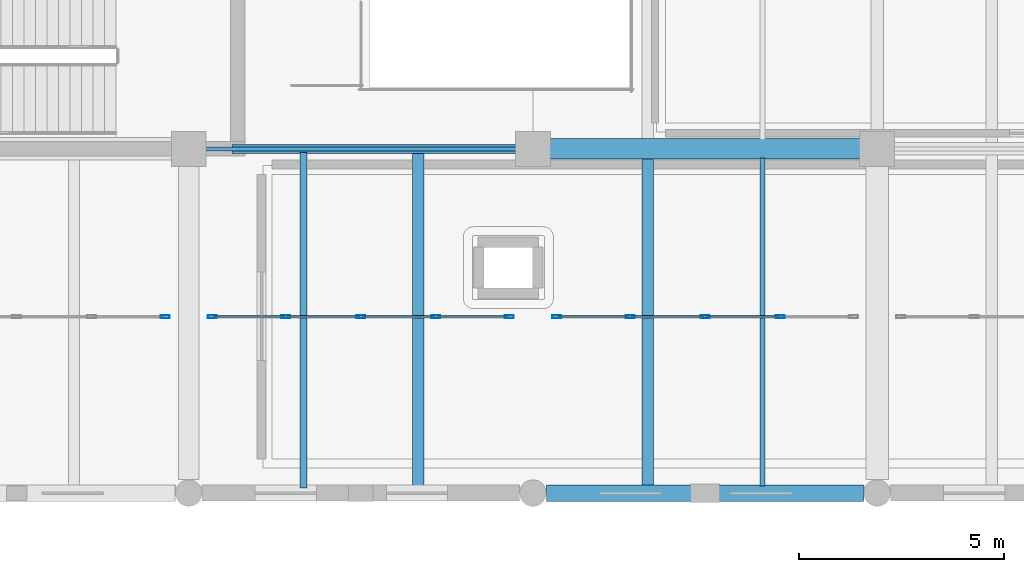
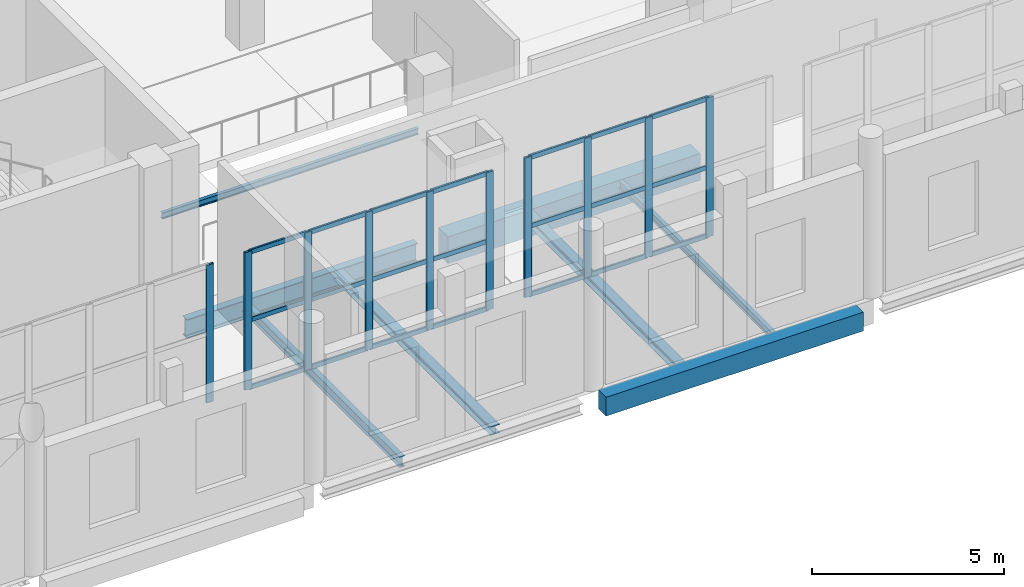
# One storey, part 5 of 73: 31 members, 8 beams, 3 elements without a shape of their own.
"""IFC4 building model written with IfcOpenShell, lengths in metres."""

from ifc_helpers import new_model, si_unit, direction, frame, origin, origin_2d, place, context, subcontext, project, spatial, rectangle, hollow_rectangle, i_section, extrude, material, layer, layer_set, material_profile, profile_set, type_object, element, aggregate, save


model = new_model("IFC4")

# Units and contexts
model_context = context("Model", 3, precision=1e-05, world=origin(), true_north=direction((0.0, 1.0)))
body_context = subcontext(model_context, "Body", "Model", "MODEL_VIEW")
ifc_project = project(units=[si_unit("LENGTHUNIT", "METRE"), si_unit("AREAUNIT", "SQUARE_METRE"), si_unit("VOLUMEUNIT", "CUBIC_METRE"), si_unit("PLANEANGLEUNIT", "RADIAN"), si_unit("MASSUNIT", "GRAM", prefix="KILO")], contexts=[model_context])

# Site, building, storey
site_placement = place(None, origin())
site = spatial("IfcSite", under=ifc_project, at=site_placement, CompositionType="ELEMENT")
building_placement = place(site_placement, origin())
building = spatial("IfcBuilding", under=site, at=building_placement, Name="Zulmaris Art Gallery", CompositionType="ELEMENT")
storey_placement = place(building_placement, frame((0.0, 0.0, 10.5)))
storey = spatial("IfcBuildingStorey", under=building, at=storey_placement, Name="L02", CompositionType="ELEMENT", Elevation=10.5)

# Beams
ifc_material_1 = material(Name="Steel S355J2", Category="steel")
ifc_material_profile_1 = material_profile(ifc_material_1, i_section(OverallWidth=0.219970703125, OverallDepth=0.60009765625, WebThickness=0.011962890625, FlangeThickness=0.01904296875, FilletRadius=0.02392578125, at=origin_2d()), Name="IPE 600")
ifc_profile_set_1 = profile_set([ifc_material_profile_1], Name="Steel S355J2")
beam_type_1 = type_object("IfcBeamType", Name="BEAM-BM07", PredefinedType="BEAM", material=ifc_profile_set_1)
beam_1_placement = place(storey_placement, frame((41.85009765625, 21.60009765625, -0.695068359375), z_axis=(1.0, 0.0, 0.0), x_axis=(0.0, 1.0, 0.0)))
element("IfcBeam", 1, at=beam_1_placement, inside=storey, type_object=beam_type_1, Name="L02 X-girder (40.8..49.2, y=21.6)", PredefinedType="BEAM", context=body_context, shape_type="SweptSolid", body=[
    extrude(i_section(OverallWidth=0.219970703125, OverallDepth=0.60009765625, WebThickness=0.011962890625, FlangeThickness=0.01904296875, FilletRadius=0.02392578125, at=origin_2d()), origin(), (0.0, 0.0, 1.0), 6.93994140625),
])
ifc_material_2 = material(Name="Concrete C40/50", Category="concrete")
ifc_material_profile_2 = material_profile(ifc_material_2, rectangle(XDim=0.5, YDim=0.85009765625, at=origin_2d()), Name="RC 500x850")
ifc_profile_set_2 = profile_set([ifc_material_profile_2], Name="Concrete C40/50")
beam_type_2 = type_object("IfcBeamType", Name="BEAM-BM26", PredefinedType="BEAM", material=ifc_profile_set_2)
beam_2_placement = place(storey_placement, frame((49.610107421875, 21.60009765625, -0.824951171875), z_axis=(1.0, 0.0, 0.0), x_axis=(0.0, 1.0, 0.0)))
element("IfcBeam", 2, at=beam_2_placement, inside=storey, type_object=beam_type_2, Name="L02 X-girder (49.2..57.6, y=21.6)", PredefinedType="BEAM", context=body_context, shape_type="SweptSolid", body=[
    extrude(rectangle(XDim=0.5, YDim=0.85009765625, at=origin_2d()), origin(), (0.0, 0.0, 1.0), 7.579833984375),
])
ifc_material_profile_3 = material_profile(ifc_material_1, i_section(OverallWidth=0.1201171875, OverallDepth=0.239990234375, WebThickness=0.006103515625, FlangeThickness=0.009765625, FilletRadius=0.014892578125, at=origin_2d()), Name="IPE 240")
ifc_profile_set_3 = profile_set([ifc_material_profile_3], Name="Steel S355J2")
beam_type_3 = type_object("IfcBeamType", Name="BEAM-JS01", PredefinedType="JOIST", material=ifc_profile_set_3)
beam_3_placement = place(storey_placement, frame((54.800048828125, 13.375, -0.52001953125), z_axis=(0.0, 1.0, 0.0), x_axis=(-1.0, 0.0, 0.0)))
element("IfcBeam", 3, at=beam_3_placement, inside=storey, type_object=beam_type_3, Name="L02 secondary joist at x=54.8", PredefinedType="JOIST", context=body_context, shape_type="SweptSolid", body=[
    extrude(i_section(OverallWidth=0.1201171875, OverallDepth=0.239990234375, WebThickness=0.006103515625, FlangeThickness=0.009765625, FilletRadius=0.014892578125, at=origin_2d()), origin(), (0.0, 0.0, 1.0), 8.0),
])
ifc_material_profile_4 = material_profile(ifc_material_1, i_section(OverallWidth=0.159912109375, OverallDepth=0.330078125, WebThickness=0.007568359375, FlangeThickness=0.011474609375, FilletRadius=0.01806640625, at=origin_2d()), Name="IPE 330")
ifc_profile_set_4 = profile_set([ifc_material_profile_4], Name="Steel S355J2")
beam_type_4 = type_object("IfcBeamType", Name="BEAM-JS03", PredefinedType="JOIST", material=ifc_profile_set_4)
beam_4_placement = place(storey_placement, frame((43.60009765625, 13.324951171875, -0.56494140625), z_axis=(0.0, 1.0, 0.0), x_axis=(-1.0, 0.0, 0.0)))
element("IfcBeam", 4, at=beam_4_placement, inside=storey, type_object=beam_type_4, Name="L02 secondary joist at x=43.6", PredefinedType="JOIST", context=body_context, shape_type="SweptSolid", body=[
    extrude(i_section(OverallWidth=0.159912109375, OverallDepth=0.330078125, WebThickness=0.007568359375, FlangeThickness=0.011474609375, FilletRadius=0.01806640625, at=origin_2d()), origin(), (0.0, 0.0, 1.0), 8.18994140625),
])
ifc_material_profile_5 = material_profile(ifc_material_1, i_section(OverallWidth=0.280029296875, OverallDepth=0.27001953125, WebThickness=0.008056640625, FlangeThickness=0.012939453125, FilletRadius=0.02392578125, at=origin_2d()), Name="HEA 280")
ifc_profile_set_5 = profile_set([ifc_material_profile_5], Name="Steel S355J2")
beam_type_5 = type_object("IfcBeamType", Name="BEAM-JS04", PredefinedType="JOIST", material=ifc_profile_set_5)
beam_5_placement = place(storey_placement, frame((46.39990234375, 13.324951171875, -0.534912109375), z_axis=(0.0, 1.0, 0.0), x_axis=(-1.0, 0.0, 0.0)))
element("IfcBeam", 5, at=beam_5_placement, inside=storey, type_object=beam_type_5, Name="L02 secondary joist at x=46.4", PredefinedType="JOIST", context=body_context, shape_type="SweptSolid", body=[
    extrude(i_section(OverallWidth=0.280029296875, OverallDepth=0.27001953125, WebThickness=0.008056640625, FlangeThickness=0.012939453125, FilletRadius=0.02392578125, at=origin_2d()), origin(), (0.0, 0.0, 1.0), 8.18994140625),
])
beam_6_placement = place(storey_placement, frame((52.0, 13.375, -0.534912109375), z_axis=(0.0, 1.0, 0.0), x_axis=(-1.0, 0.0, 0.0)))
element("IfcBeam", 6, at=beam_6_placement, inside=storey, type_object=beam_type_5, Name="L02 secondary joist at x=52.0", PredefinedType="JOIST", context=body_context, shape_type="SweptSolid", body=[
    extrude(i_section(OverallWidth=0.280029296875, OverallDepth=0.27001953125, WebThickness=0.008056640625, FlangeThickness=0.012939453125, FilletRadius=0.02392578125, at=origin_2d()), origin(), (0.0, 0.0, 1.0), 8.0),
])
ifc_material_profile_6 = material_profile(ifc_material_1, i_section(OverallWidth=0.10009765625, OverallDepth=0.199951171875, WebThickness=0.005615234375, FlangeThickness=0.008544921875, FilletRadius=0.011962890625, at=origin_2d()), Name="IPE 200")
ifc_profile_set_6 = profile_set([ifc_material_profile_6], Name="Steel S355J2")
beam_type_6 = type_object("IfcBeamType", Name="BEAM-LN01", PredefinedType="LINTEL", material=ifc_profile_set_6)
beam_7_placement = place(storey_placement, frame((41.14990234375, 21.60009765625, 3.10009765625), z_axis=(1.0, 0.0, 0.0), x_axis=(0.0, 1.0, 0.0)))
element("IfcBeam", 7, at=beam_7_placement, inside=storey, type_object=beam_type_6, Name="L02 portal lintel 7", PredefinedType="LINTEL", context=body_context, shape_type="SweptSolid", body=[
    extrude(i_section(OverallWidth=0.10009765625, OverallDepth=0.199951171875, WebThickness=0.005615234375, FlangeThickness=0.008544921875, FilletRadius=0.011962890625, at=origin_2d()), origin(), (0.0, 0.0, 1.0), 7.7001953125),
])
ifc_material_profile_7 = material_profile(ifc_material_2, rectangle(XDim=0.39990234375, YDim=0.60009765625, at=origin_2d()), Name="RC 400x600")
ifc_profile_set_7 = profile_set([ifc_material_profile_7], Name="Concrete C40/50")
beam_type_7 = type_object("IfcBeamType", Name="BEAM-SP03", PredefinedType="SPANDREL", material=ifc_profile_set_7)
beam_8_placement = place(storey_placement, frame((49.534912109375, 13.199951171875, -0.699951171875), z_axis=(1.0, 0.0, 0.0), x_axis=(0.0, 1.0, 0.0)))
element("IfcBeam", 8, at=beam_8_placement, inside=storey, type_object=beam_type_7, Name="L02 X-girder (49.2..57.6, y=13.2)", PredefinedType="SPANDREL", context=body_context, shape_type="SweptSolid", body=[
    extrude(rectangle(XDim=0.39990234375, YDim=0.60009765625, at=origin_2d()), origin(), (0.0, 0.0, 1.0), 7.72998046875),
])

# Curtain wall, member
ifc_material_3 = material(Name="Cloister & Court Glazed Curtain Wall", Category="aluminium")
ifc_layer = layer(ifc_material_3, 0.179931640625)
ifc_layer_set = layer_set([ifc_layer], Name="Cloister & Court Glazed Curtain Wall")
curtain_wall_type = type_object("IfcCurtainWallType", Name="CW-CW03", PredefinedType="NOTDEFINED", material=ifc_layer_set)
curtain_wall_1_placement = place(storey_placement, origin())
curtain_wall_1 = element("IfcCurtainWall", 9, at=curtain_wall_1_placement, inside=storey, type_object=curtain_wall_type, Name="L02 curtain wall 57", PredefinedType="NOTDEFINED")
ifc_material_4 = material(Name="Anodised Bronze Aluminium", Category="aluminium")
ifc_material_profile_8 = material_profile(ifc_material_4, hollow_rectangle(XDim=0.074951171875, YDim=0.219970703125, WallThickness=0.0048828125, InnerFilletRadius=0.007568359375, OuterFilletRadius=0.012451171875, at=origin_2d()), Name="ALU 75x220x5")
ifc_profile_set_8 = profile_set([ifc_material_profile_8], Name="Anodised Bronze Aluminium")
member_type_1 = type_object("IfcMemberType", Name="CWMUL-02", PredefinedType="MULLION", material=ifc_profile_set_8)
member_1_placement = place(storey_placement, frame((40.222412109375, 17.5, 0.0), z_axis=(0.0, 0.0, 1.0), x_axis=(0.0, 1.0, 0.0)))
member_1 = element("IfcMember", 10, at=member_1_placement, type_object=member_type_1, Name="CW03 mullion 5", PredefinedType="MULLION", context=body_context, shape_type="SweptSolid", body=[
    extrude(hollow_rectangle(XDim=0.074951171875, YDim=0.219970703125, WallThickness=0.0048828125, InnerFilletRadius=0.007568359375, OuterFilletRadius=0.012451171875, at=origin_2d()), origin(), (0.0, 0.0, 1.0), 4.3701171875),
])
aggregate(curtain_wall_1, [member_1])

# Curtain wall, members
curtain_wall_2_placement = place(storey_placement, origin())
curtain_wall_2 = element("IfcCurtainWall", 11, at=curtain_wall_2_placement, inside=storey, type_object=curtain_wall_type, Name="L02 curtain wall 58", PredefinedType="NOTDEFINED")
member_2_placement = place(storey_placement, frame((41.37744140625, 17.5, 0.0), z_axis=(0.0, 0.0, 1.0), x_axis=(0.0, 1.0, 0.0)))
member_2 = element("IfcMember", 12, at=member_2_placement, type_object=member_type_1, Name="CW03 mullion 1", PredefinedType="MULLION", context=body_context, shape_type="SweptSolid", body=[
    extrude(hollow_rectangle(XDim=0.074951171875, YDim=0.219970703125, WallThickness=0.0048828125, InnerFilletRadius=0.007568359375, OuterFilletRadius=0.012451171875, at=origin_2d()), origin(), (0.0, 0.0, 1.0), 4.3701171875),
])
member_3_placement = place(storey_placement, frame((43.169921875, 17.5, 0.0), z_axis=(0.0, 0.0, 1.0), x_axis=(0.0, 1.0, 0.0)))
member_3 = element("IfcMember", 13, at=member_3_placement, type_object=member_type_1, Name="CW03 mullion 2", PredefinedType="MULLION", context=body_context, shape_type="SweptSolid", body=[
    extrude(hollow_rectangle(XDim=0.074951171875, YDim=0.219970703125, WallThickness=0.0048828125, InnerFilletRadius=0.007568359375, OuterFilletRadius=0.012451171875, at=origin_2d()), origin(), (0.0, 0.0, 1.0), 4.3701171875),
])
member_4_placement = place(storey_placement, frame((45.0, 17.5, 0.0), z_axis=(0.0, 0.0, 1.0), x_axis=(0.0, 1.0, 0.0)))
member_4 = element("IfcMember", 14, at=member_4_placement, type_object=member_type_1, Name="CW03 mullion 3", PredefinedType="MULLION", context=body_context, shape_type="SweptSolid", body=[
    extrude(hollow_rectangle(XDim=0.074951171875, YDim=0.219970703125, WallThickness=0.0048828125, InnerFilletRadius=0.007568359375, OuterFilletRadius=0.012451171875, at=origin_2d()), origin(), (0.0, 0.0, 1.0), 4.3701171875),
])
member_5_placement = place(storey_placement, frame((46.830078125, 17.5, 0.0), z_axis=(0.0, 0.0, 1.0), x_axis=(0.0, 1.0, 0.0)))
member_5 = element("IfcMember", 15, at=member_5_placement, type_object=member_type_1, Name="CW03 mullion 4", PredefinedType="MULLION", context=body_context, shape_type="SweptSolid", body=[
    extrude(hollow_rectangle(XDim=0.074951171875, YDim=0.219970703125, WallThickness=0.0048828125, InnerFilletRadius=0.007568359375, OuterFilletRadius=0.012451171875, at=origin_2d()), origin(), (0.0, 0.0, 1.0), 4.3701171875),
])
member_6_placement = place(storey_placement, frame((48.62255859375, 17.5, 0.0), z_axis=(0.0, 0.0, 1.0), x_axis=(0.0, 1.0, 0.0)))
member_6 = element("IfcMember", 16, at=member_6_placement, type_object=member_type_1, Name="CW03 mullion 5", PredefinedType="MULLION", context=body_context, shape_type="SweptSolid", body=[
    extrude(hollow_rectangle(XDim=0.074951171875, YDim=0.219970703125, WallThickness=0.0048828125, InnerFilletRadius=0.007568359375, OuterFilletRadius=0.012451171875, at=origin_2d()), origin(), (0.0, 0.0, 1.0), 4.3701171875),
])

curtain_wall_3_placement = place(storey_placement, origin())
curtain_wall_3 = element("IfcCurtainWall", 17, at=curtain_wall_3_placement, inside=storey, type_object=curtain_wall_type, Name="L02 curtain wall 59", PredefinedType="NOTDEFINED")
member_7_placement = place(storey_placement, frame((49.777587890625, 17.5, 0.0), z_axis=(0.0, 0.0, 1.0), x_axis=(0.0, 1.0, 0.0)))
member_7 = element("IfcMember", 18, at=member_7_placement, type_object=member_type_1, Name="CW03 mullion 1", PredefinedType="MULLION", context=body_context, shape_type="SweptSolid", body=[
    extrude(hollow_rectangle(XDim=0.074951171875, YDim=0.219970703125, WallThickness=0.0048828125, InnerFilletRadius=0.007568359375, OuterFilletRadius=0.012451171875, at=origin_2d()), origin(), (0.0, 0.0, 1.0), 4.429931640625),
])
member_8_placement = place(storey_placement, frame((51.570068359375, 17.5, 0.0), z_axis=(0.0, 0.0, 1.0), x_axis=(0.0, 1.0, 0.0)))
member_8 = element("IfcMember", 19, at=member_8_placement, type_object=member_type_1, Name="CW03 mullion 2", PredefinedType="MULLION", context=body_context, shape_type="SweptSolid", body=[
    extrude(hollow_rectangle(XDim=0.074951171875, YDim=0.219970703125, WallThickness=0.0048828125, InnerFilletRadius=0.007568359375, OuterFilletRadius=0.012451171875, at=origin_2d()), origin(), (0.0, 0.0, 1.0), 4.429931640625),
])
member_9_placement = place(storey_placement, frame((53.39990234375, 17.5, 0.0), z_axis=(0.0, 0.0, 1.0), x_axis=(0.0, 1.0, 0.0)))
member_9 = element("IfcMember", 20, at=member_9_placement, type_object=member_type_1, Name="CW03 mullion 3", PredefinedType="MULLION", context=body_context, shape_type="SweptSolid", body=[
    extrude(hollow_rectangle(XDim=0.074951171875, YDim=0.219970703125, WallThickness=0.0048828125, InnerFilletRadius=0.007568359375, OuterFilletRadius=0.012451171875, at=origin_2d()), origin(), (0.0, 0.0, 1.0), 4.429931640625),
])
member_10_placement = place(storey_placement, frame((55.22998046875, 17.5, 0.0), z_axis=(0.0, 0.0, 1.0), x_axis=(0.0, 1.0, 0.0)))
member_10 = element("IfcMember", 21, at=member_10_placement, type_object=member_type_1, Name="CW03 mullion 4", PredefinedType="MULLION", context=body_context, shape_type="SweptSolid", body=[
    extrude(hollow_rectangle(XDim=0.074951171875, YDim=0.219970703125, WallThickness=0.0048828125, InnerFilletRadius=0.007568359375, OuterFilletRadius=0.012451171875, at=origin_2d()), origin(), (0.0, 0.0, 1.0), 4.429931640625),
])

# Member
ifc_material_profile_9 = material_profile(ifc_material_4, hollow_rectangle(XDim=0.06494140625, YDim=0.14990234375, WallThickness=0.00390625, InnerFilletRadius=0.006103515625, OuterFilletRadius=0.010009765625, at=origin_2d()), Name="ALU 65x150x4")
ifc_profile_set_9 = profile_set([ifc_material_profile_9], Name="Anodised Bronze Aluminium")
member_type_2 = type_object("IfcMemberType", Name="CWTRN-01", PredefinedType="USERDEFINED", material=ifc_profile_set_9)
member_11_placement = place(storey_placement, frame((41.4150390625, 17.5, 0.03759765625), z_axis=(1.0, 0.0, 0.0), x_axis=(0.0, 1.0, 0.0)))
member_11 = element("IfcMember", 22, at=member_11_placement, type_object=member_type_2, Name="CW03 transom 1.1", ObjectType="TRANSOM", PredefinedType="USERDEFINED", context=body_context, shape_type="SweptSolid", body=[
    extrude(hollow_rectangle(XDim=0.06494140625, YDim=0.14990234375, WallThickness=0.00390625, InnerFilletRadius=0.006103515625, OuterFilletRadius=0.010009765625, at=origin_2d()), origin(), (0.0, 0.0, 1.0), 1.717529296875),
])

member_12_placement = place(storey_placement, frame((41.4150390625, 17.5, 2.18505859375), z_axis=(1.0, 0.0, 0.0), x_axis=(0.0, 1.0, 0.0)))
member_12 = element("IfcMember", 23, at=member_12_placement, type_object=member_type_2, Name="CW03 transom 1.2", ObjectType="TRANSOM", PredefinedType="USERDEFINED", context=body_context, shape_type="SweptSolid", body=[
    extrude(hollow_rectangle(XDim=0.06494140625, YDim=0.14990234375, WallThickness=0.00390625, InnerFilletRadius=0.006103515625, OuterFilletRadius=0.010009765625, at=origin_2d()), origin(), (0.0, 0.0, 1.0), 1.717529296875),
])

member_13_placement = place(storey_placement, frame((41.4150390625, 17.5, 4.33251953125), z_axis=(1.0, 0.0, 0.0), x_axis=(0.0, 1.0, 0.0)))
member_13 = element("IfcMember", 24, at=member_13_placement, type_object=member_type_2, Name="CW03 transom 1.3", ObjectType="TRANSOM", PredefinedType="USERDEFINED", context=body_context, shape_type="SweptSolid", body=[
    extrude(hollow_rectangle(XDim=0.06494140625, YDim=0.14990234375, WallThickness=0.00390625, InnerFilletRadius=0.006103515625, OuterFilletRadius=0.010009765625, at=origin_2d()), origin(), (0.0, 0.0, 1.0), 1.717529296875),
])

member_14_placement = place(storey_placement, frame((43.20751953125, 17.5, 0.03759765625), z_axis=(1.0, 0.0, 0.0), x_axis=(0.0, 1.0, 0.0)))
member_14 = element("IfcMember", 25, at=member_14_placement, type_object=member_type_2, Name="CW03 transom 2.1", ObjectType="TRANSOM", PredefinedType="USERDEFINED", context=body_context, shape_type="SweptSolid", body=[
    extrude(hollow_rectangle(XDim=0.06494140625, YDim=0.14990234375, WallThickness=0.00390625, InnerFilletRadius=0.006103515625, OuterFilletRadius=0.010009765625, at=origin_2d()), origin(), (0.0, 0.0, 1.0), 1.7548828125),
])

member_15_placement = place(storey_placement, frame((43.20751953125, 17.5, 2.18505859375), z_axis=(1.0, 0.0, 0.0), x_axis=(0.0, 1.0, 0.0)))
member_15 = element("IfcMember", 26, at=member_15_placement, type_object=member_type_2, Name="CW03 transom 2.2", ObjectType="TRANSOM", PredefinedType="USERDEFINED", context=body_context, shape_type="SweptSolid", body=[
    extrude(hollow_rectangle(XDim=0.06494140625, YDim=0.14990234375, WallThickness=0.00390625, InnerFilletRadius=0.006103515625, OuterFilletRadius=0.010009765625, at=origin_2d()), origin(), (0.0, 0.0, 1.0), 1.7548828125),
])

member_16_placement = place(storey_placement, frame((43.20751953125, 17.5, 4.33251953125), z_axis=(1.0, 0.0, 0.0), x_axis=(0.0, 1.0, 0.0)))
member_16 = element("IfcMember", 27, at=member_16_placement, type_object=member_type_2, Name="CW03 transom 2.3", ObjectType="TRANSOM", PredefinedType="USERDEFINED", context=body_context, shape_type="SweptSolid", body=[
    extrude(hollow_rectangle(XDim=0.06494140625, YDim=0.14990234375, WallThickness=0.00390625, InnerFilletRadius=0.006103515625, OuterFilletRadius=0.010009765625, at=origin_2d()), origin(), (0.0, 0.0, 1.0), 1.7548828125),
])

member_17_placement = place(storey_placement, frame((45.03759765625, 17.5, 0.03759765625), z_axis=(1.0, 0.0, 0.0), x_axis=(0.0, 1.0, 0.0)))
member_17 = element("IfcMember", 28, at=member_17_placement, type_object=member_type_2, Name="CW03 transom 3.1", ObjectType="TRANSOM", PredefinedType="USERDEFINED", context=body_context, shape_type="SweptSolid", body=[
    extrude(hollow_rectangle(XDim=0.06494140625, YDim=0.14990234375, WallThickness=0.00390625, InnerFilletRadius=0.006103515625, OuterFilletRadius=0.010009765625, at=origin_2d()), origin(), (0.0, 0.0, 1.0), 1.7548828125),
])

member_18_placement = place(storey_placement, frame((45.03759765625, 17.5, 2.18505859375), z_axis=(1.0, 0.0, 0.0), x_axis=(0.0, 1.0, 0.0)))
member_18 = element("IfcMember", 29, at=member_18_placement, type_object=member_type_2, Name="CW03 transom 3.2", ObjectType="TRANSOM", PredefinedType="USERDEFINED", context=body_context, shape_type="SweptSolid", body=[
    extrude(hollow_rectangle(XDim=0.06494140625, YDim=0.14990234375, WallThickness=0.00390625, InnerFilletRadius=0.006103515625, OuterFilletRadius=0.010009765625, at=origin_2d()), origin(), (0.0, 0.0, 1.0), 1.7548828125),
])

member_19_placement = place(storey_placement, frame((45.03759765625, 17.5, 4.33251953125), z_axis=(1.0, 0.0, 0.0), x_axis=(0.0, 1.0, 0.0)))
member_19 = element("IfcMember", 30, at=member_19_placement, type_object=member_type_2, Name="CW03 transom 3.3", ObjectType="TRANSOM", PredefinedType="USERDEFINED", context=body_context, shape_type="SweptSolid", body=[
    extrude(hollow_rectangle(XDim=0.06494140625, YDim=0.14990234375, WallThickness=0.00390625, InnerFilletRadius=0.006103515625, OuterFilletRadius=0.010009765625, at=origin_2d()), origin(), (0.0, 0.0, 1.0), 1.7548828125),
])

member_20_placement = place(storey_placement, frame((46.867431640625, 17.5, 0.03759765625), z_axis=(1.0, 0.0, 0.0), x_axis=(0.0, 1.0, 0.0)))
member_20 = element("IfcMember", 31, at=member_20_placement, type_object=member_type_2, Name="CW03 transom 4.1", ObjectType="TRANSOM", PredefinedType="USERDEFINED", context=body_context, shape_type="SweptSolid", body=[
    extrude(hollow_rectangle(XDim=0.06494140625, YDim=0.14990234375, WallThickness=0.00390625, InnerFilletRadius=0.006103515625, OuterFilletRadius=0.010009765625, at=origin_2d()), origin(), (0.0, 0.0, 1.0), 1.717529296875),
])

member_21_placement = place(storey_placement, frame((46.867431640625, 17.5, 2.18505859375), z_axis=(1.0, 0.0, 0.0), x_axis=(0.0, 1.0, 0.0)))
member_21 = element("IfcMember", 32, at=member_21_placement, type_object=member_type_2, Name="CW03 transom 4.2", ObjectType="TRANSOM", PredefinedType="USERDEFINED", context=body_context, shape_type="SweptSolid", body=[
    extrude(hollow_rectangle(XDim=0.06494140625, YDim=0.14990234375, WallThickness=0.00390625, InnerFilletRadius=0.006103515625, OuterFilletRadius=0.010009765625, at=origin_2d()), origin(), (0.0, 0.0, 1.0), 1.717529296875),
])

member_22_placement = place(storey_placement, frame((46.867431640625, 17.5, 4.33251953125), z_axis=(1.0, 0.0, 0.0), x_axis=(0.0, 1.0, 0.0)))
member_22 = element("IfcMember", 33, at=member_22_placement, type_object=member_type_2, Name="CW03 transom 4.3", ObjectType="TRANSOM", PredefinedType="USERDEFINED", context=body_context, shape_type="SweptSolid", body=[
    extrude(hollow_rectangle(XDim=0.06494140625, YDim=0.14990234375, WallThickness=0.00390625, InnerFilletRadius=0.006103515625, OuterFilletRadius=0.010009765625, at=origin_2d()), origin(), (0.0, 0.0, 1.0), 1.717529296875),
])

aggregate(curtain_wall_2, [member_2, member_3, member_4, member_5, member_6, member_11, member_12, member_13, member_14, member_15, member_16, member_17, member_18, member_19, member_20, member_21, member_22])

member_23_placement = place(storey_placement, frame((49.81494140625, 17.5, 0.03759765625), z_axis=(1.0, 0.0, 0.0), x_axis=(0.0, 1.0, 0.0)))
member_23 = element("IfcMember", 34, at=member_23_placement, type_object=member_type_2, Name="CW03 transom 1.1", ObjectType="TRANSOM", PredefinedType="USERDEFINED", context=body_context, shape_type="SweptSolid", body=[
    extrude(hollow_rectangle(XDim=0.06494140625, YDim=0.14990234375, WallThickness=0.00390625, InnerFilletRadius=0.006103515625, OuterFilletRadius=0.010009765625, at=origin_2d()), origin(), (0.0, 0.0, 1.0), 1.717529296875),
])

member_24_placement = place(storey_placement, frame((49.81494140625, 17.5, 2.215087890625), z_axis=(1.0, 0.0, 0.0), x_axis=(0.0, 1.0, 0.0)))
member_24 = element("IfcMember", 35, at=member_24_placement, type_object=member_type_2, Name="CW03 transom 1.2", ObjectType="TRANSOM", PredefinedType="USERDEFINED", context=body_context, shape_type="SweptSolid", body=[
    extrude(hollow_rectangle(XDim=0.06494140625, YDim=0.14990234375, WallThickness=0.00390625, InnerFilletRadius=0.006103515625, OuterFilletRadius=0.010009765625, at=origin_2d()), origin(), (0.0, 0.0, 1.0), 1.717529296875),
])

member_25_placement = place(storey_placement, frame((49.81494140625, 17.5, 4.392578125), z_axis=(1.0, 0.0, 0.0), x_axis=(0.0, 1.0, 0.0)))
member_25 = element("IfcMember", 36, at=member_25_placement, type_object=member_type_2, Name="CW03 transom 1.3", ObjectType="TRANSOM", PredefinedType="USERDEFINED", context=body_context, shape_type="SweptSolid", body=[
    extrude(hollow_rectangle(XDim=0.06494140625, YDim=0.14990234375, WallThickness=0.00390625, InnerFilletRadius=0.006103515625, OuterFilletRadius=0.010009765625, at=origin_2d()), origin(), (0.0, 0.0, 1.0), 1.717529296875),
])

member_26_placement = place(storey_placement, frame((51.607421875, 17.5, 0.03759765625), z_axis=(1.0, 0.0, 0.0), x_axis=(0.0, 1.0, 0.0)))
member_26 = element("IfcMember", 37, at=member_26_placement, type_object=member_type_2, Name="CW03 transom 2.1", ObjectType="TRANSOM", PredefinedType="USERDEFINED", context=body_context, shape_type="SweptSolid", body=[
    extrude(hollow_rectangle(XDim=0.06494140625, YDim=0.14990234375, WallThickness=0.00390625, InnerFilletRadius=0.006103515625, OuterFilletRadius=0.010009765625, at=origin_2d()), origin(), (0.0, 0.0, 1.0), 1.755126953125),
])

member_27_placement = place(storey_placement, frame((51.607421875, 17.5, 2.215087890625), z_axis=(1.0, 0.0, 0.0), x_axis=(0.0, 1.0, 0.0)))
member_27 = element("IfcMember", 38, at=member_27_placement, type_object=member_type_2, Name="CW03 transom 2.2", ObjectType="TRANSOM", PredefinedType="USERDEFINED", context=body_context, shape_type="SweptSolid", body=[
    extrude(hollow_rectangle(XDim=0.06494140625, YDim=0.14990234375, WallThickness=0.00390625, InnerFilletRadius=0.006103515625, OuterFilletRadius=0.010009765625, at=origin_2d()), origin(), (0.0, 0.0, 1.0), 1.755126953125),
])

member_28_placement = place(storey_placement, frame((51.607421875, 17.5, 4.392578125), z_axis=(1.0, 0.0, 0.0), x_axis=(0.0, 1.0, 0.0)))
member_28 = element("IfcMember", 39, at=member_28_placement, type_object=member_type_2, Name="CW03 transom 2.3", ObjectType="TRANSOM", PredefinedType="USERDEFINED", context=body_context, shape_type="SweptSolid", body=[
    extrude(hollow_rectangle(XDim=0.06494140625, YDim=0.14990234375, WallThickness=0.00390625, InnerFilletRadius=0.006103515625, OuterFilletRadius=0.010009765625, at=origin_2d()), origin(), (0.0, 0.0, 1.0), 1.755126953125),
])

member_29_placement = place(storey_placement, frame((53.4375, 17.5, 0.03759765625), z_axis=(1.0, 0.0, 0.0), x_axis=(0.0, 1.0, 0.0)))
member_29 = element("IfcMember", 40, at=member_29_placement, type_object=member_type_2, Name="CW03 transom 3.1", ObjectType="TRANSOM", PredefinedType="USERDEFINED", context=body_context, shape_type="SweptSolid", body=[
    extrude(hollow_rectangle(XDim=0.06494140625, YDim=0.14990234375, WallThickness=0.00390625, InnerFilletRadius=0.006103515625, OuterFilletRadius=0.010009765625, at=origin_2d()), origin(), (0.0, 0.0, 1.0), 1.7548828125),
])

member_30_placement = place(storey_placement, frame((53.4375, 17.5, 2.215087890625), z_axis=(1.0, 0.0, 0.0), x_axis=(0.0, 1.0, 0.0)))
member_30 = element("IfcMember", 41, at=member_30_placement, type_object=member_type_2, Name="CW03 transom 3.2", ObjectType="TRANSOM", PredefinedType="USERDEFINED", context=body_context, shape_type="SweptSolid", body=[
    extrude(hollow_rectangle(XDim=0.06494140625, YDim=0.14990234375, WallThickness=0.00390625, InnerFilletRadius=0.006103515625, OuterFilletRadius=0.010009765625, at=origin_2d()), origin(), (0.0, 0.0, 1.0), 1.7548828125),
])

member_31_placement = place(storey_placement, frame((53.4375, 17.5, 4.392578125), z_axis=(1.0, 0.0, 0.0), x_axis=(0.0, 1.0, 0.0)))
member_31 = element("IfcMember", 42, at=member_31_placement, type_object=member_type_2, Name="CW03 transom 3.3", ObjectType="TRANSOM", PredefinedType="USERDEFINED", context=body_context, shape_type="SweptSolid", body=[
    extrude(hollow_rectangle(XDim=0.06494140625, YDim=0.14990234375, WallThickness=0.00390625, InnerFilletRadius=0.006103515625, OuterFilletRadius=0.010009765625, at=origin_2d()), origin(), (0.0, 0.0, 1.0), 1.7548828125),
])

aggregate(curtain_wall_3, [member_7, member_8, member_9, member_10, member_23, member_24, member_25, member_26, member_27, member_28, member_29, member_30, member_31])

save(model, "model.ifc")
